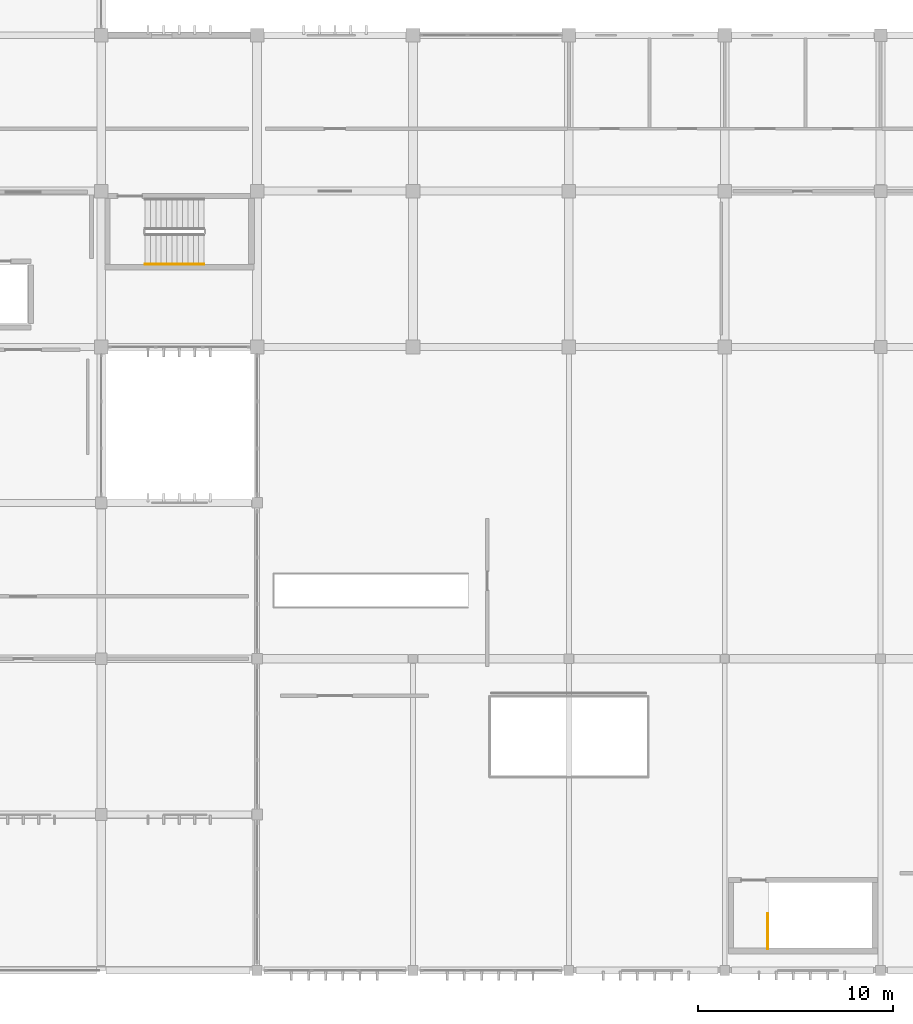
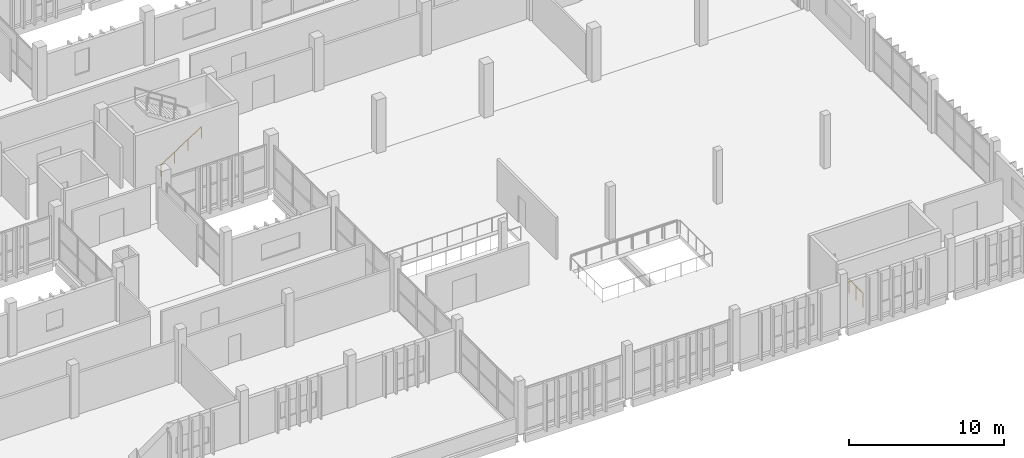
# One storey, part 136 of 137: 2 railings.
"""IFC4 building model written with IfcOpenShell, lengths in metres."""

from ifc_helpers import new_model, si_unit, direction, frame, origin, origin_2d, place, context, subcontext, project, spatial, circle, extrude, material, type_object, element, save


model = new_model("IFC4")

# Units and contexts
model_context = context("Model", 3, precision=1e-05, world=origin(), true_north=direction((0.0, 1.0)))
body_context = subcontext(model_context, "Body", "Model", "MODEL_VIEW")
ifc_project = project(units=[si_unit("LENGTHUNIT", "METRE"), si_unit("AREAUNIT", "SQUARE_METRE"), si_unit("VOLUMEUNIT", "CUBIC_METRE"), si_unit("PLANEANGLEUNIT", "RADIAN"), si_unit("MASSUNIT", "GRAM", prefix="KILO")], contexts=[model_context])

# Site, building, storey
site_placement = place(None, origin())
site = spatial("IfcSite", under=ifc_project, at=site_placement, CompositionType="ELEMENT")
building_placement = place(site_placement, origin())
building = spatial("IfcBuilding", under=site, at=building_placement, Name="Jelvoka-Kovrelna Polytechnic", CompositionType="ELEMENT")
storey_placement = place(building_placement, frame((0.0, 0.0, 9.60009765625)))
storey = spatial("IfcBuildingStorey", under=building, at=storey_placement, Name="L03", CompositionType="ELEMENT", Elevation=9.60009765625)

# Railings
ifc_material_1 = material(Name="Powder-coated steel stair guard", Category="steel")
railing_type_1 = type_object("IfcRailingType", Name="Railing_Stair_Guard_1100", PredefinedType="GUARDRAIL", material=ifc_material_1)
railing_1_placement = place(storey_placement, frame((186.199951171875, 1.10009765625, 0.0)))
element("IfcRailing", 1, at=railing_1_placement, inside=storey, type_object=railing_type_1, Name="L03 ST05 top well guard 1", PredefinedType="GUARDRAIL", context=body_context, shape_type="SweptSolid", body=[
    extrude(circle(Radius=0.02392578125, at=origin_2d()), frame((0.0, 0.0, 1.076171875), z_axis=(0.0, 1.0, 0.0), x_axis=(-1.0, 0.0, 0.0)), (0.0, 0.0, 1.0), 1.81982421875),
    extrude(circle(Radius=0.02099609375, at=origin_2d()), origin(), (0.0, 0.0, 1.0), 1.052001953125),
    extrude(circle(Radius=0.02099609375, at=origin_2d()), frame((0.0, 0.909912109375, 0.0)), (0.0, 0.0, 1.0), 1.052001953125),
    extrude(circle(Radius=0.02099609375, at=origin_2d()), frame((0.0, 1.81982421875, 0.0)), (0.0, 0.0, 1.0), 1.052001953125),
])
ifc_material_2 = material(Name="Brushed stainless steel handrail", Category="steel")
railing_type_2 = type_object("IfcRailingType", Name="Railing_Stair_Handrail_900", PredefinedType="HANDRAIL", material=ifc_material_2)
railing_2_placement = place(storey_placement, frame((154.25, 36.25, 0.1748046875)))
element("IfcRailing", 2, at=railing_2_placement, inside=storey, type_object=railing_type_2, Name="L03 ST08 stair handrail 1", PredefinedType="HANDRAIL", context=body_context, shape_type="SweptSolid", body=[
    extrude(circle(Radius=0.02392578125, at=origin_2d()), frame((0.0, 0.0, 0.8759765625), z_axis=(0.84364746871, 0.0, 0.536897521451), x_axis=(0.0, 1.0, 0.0)), (0.0, 0.0, 1.0), 3.58544921875),
    extrude(circle(Radius=0.02099609375, at=origin_2d()), origin(), (0.0, 0.0, 1.0), 0.851806640625),
    extrude(circle(Radius=0.02099609375, at=origin_2d()), frame((1.00830078125, 0.0, 0.6416015625)), (0.0, 0.0, 1.0), 0.851806640625),
    extrude(circle(Radius=0.02099609375, at=origin_2d()), frame((2.0166015625, 0.0, 1.283447265625)), (0.0, 0.0, 1.0), 0.851806640625),
    extrude(circle(Radius=0.02099609375, at=origin_2d()), frame((3.02490234375, 0.0, 1.925048828125)), (0.0, 0.0, 1.0), 0.851806640625),
])

save(model, "model.ifc")
